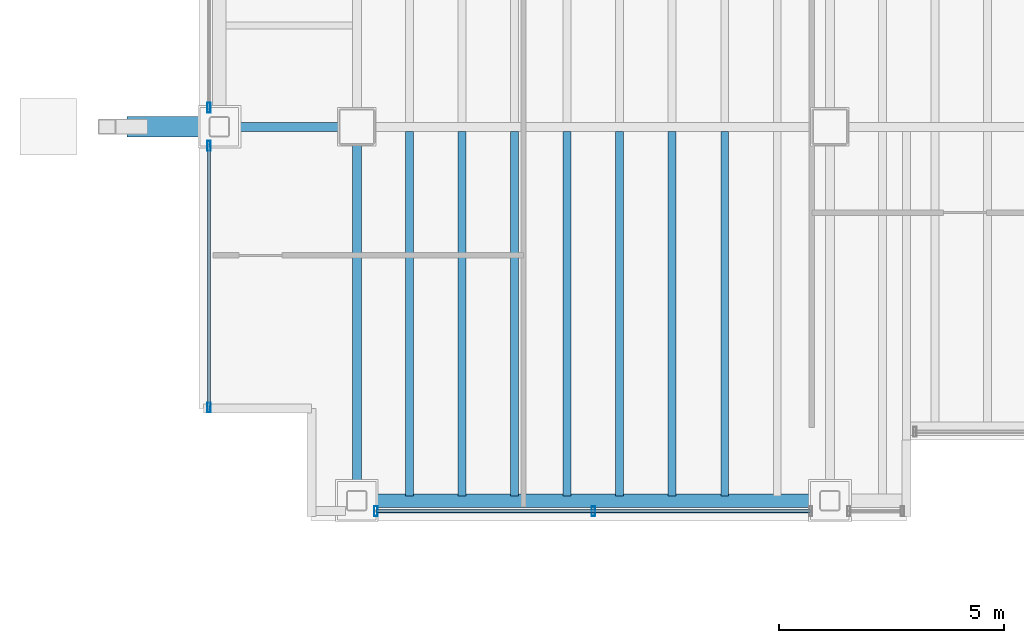
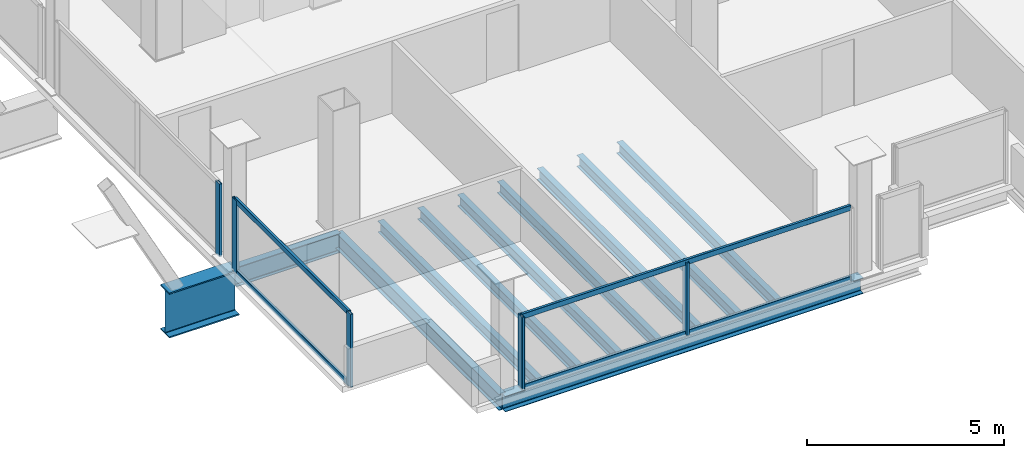
# One storey, part 2 of 17: 11 beams, 9 members, 3 elements without a shape of their own.
"""IFC4 building model written with IfcOpenShell, lengths in metres."""

from ifc_helpers import new_model, si_unit, direction, frame, origin, origin_2d, place, context, subcontext, project, spatial, hollow_rectangle, i_section, extrude, material, material_profile, profile_set, type_object, element, aggregate, save


model = new_model("IFC4")

# Units and contexts
model_context = context("Model", 3, precision=1e-05, world=origin(), true_north=direction((0.0, 1.0)))
body_context = subcontext(model_context, "Body", "Model", "MODEL_VIEW")
ifc_project = project(units=[si_unit("LENGTHUNIT", "METRE"), si_unit("AREAUNIT", "SQUARE_METRE"), si_unit("VOLUMEUNIT", "CUBIC_METRE"), si_unit("PLANEANGLEUNIT", "RADIAN"), si_unit("MASSUNIT", "GRAM", prefix="KILO")], contexts=[model_context])

# Site, building, storey
site_placement = place(None, origin())
site = spatial("IfcSite", under=ifc_project, at=site_placement, CompositionType="ELEMENT")
building_placement = place(site_placement, origin())
building = spatial("IfcBuilding", under=site, at=building_placement, Name="Noeulbin Bourse Tower", CompositionType="ELEMENT")
storey_placement = place(building_placement, frame((0.0, 0.0, 226.699951171875)))
storey = spatial("IfcBuildingStorey", under=building, at=storey_placement, Name="L56", CompositionType="ELEMENT", Elevation=226.699951171875)

# Beams
ifc_material_1 = material(Name="Steel S355", Category="steel")
ifc_material_profile_1 = material_profile(ifc_material_1, i_section(OverallWidth=0.199951171875, OverallDepth=0.5, WebThickness=0.010009765625, FlangeThickness=0.01611328125, FilletRadius=0.02001953125, at=origin_2d()), Name="H-500x200x10x16", Category="LoadBearing")
ifc_profile_set_1 = profile_set([ifc_material_profile_1], Name="Steel S355")
beam_type_1 = type_object("IfcBeamType", Name="BM-GRD-500", PredefinedType="USERDEFINED", material=ifc_profile_set_1)
beam_1_placement = place(storey_placement, frame((13.5, 11.699951171875, -0.429931640625), z_axis=(0.0, 1.0, 0.0), x_axis=(-1.0, 0.0, 0.0)))
element("IfcBeam", 1, at=beam_1_placement, inside=storey, type_object=beam_type_1, Name="Tower Primary Girder NS L56-1.1", ObjectType="GIRDER", PredefinedType="USERDEFINED", context=body_context, shape_type="SweptSolid", body=[
    extrude(i_section(OverallWidth=0.199951171875, OverallDepth=0.5, WebThickness=0.010009765625, FlangeThickness=0.01611328125, FilletRadius=0.02001953125, at=origin_2d()), origin(), (0.0, 0.0, 1.0), 8.300048828125),
])
ifc_material_profile_2 = material_profile(ifc_material_1, i_section(OverallWidth=0.199951171875, OverallDepth=0.60009765625, WebThickness=0.010986328125, FlangeThickness=0.01708984375, FilletRadius=0.02197265625, at=origin_2d()), Name="H-600x200x11x17", Category="LoadBearing")
ifc_profile_set_2 = profile_set([ifc_material_profile_2], Name="Steel S355")
beam_type_2 = type_object("IfcBeamType", Name="BM-GRD-600", PredefinedType="USERDEFINED", material=ifc_profile_set_2)
beam_2_placement = place(storey_placement, frame((10.449951171875, 20.0, -0.47998046875), z_axis=(1.0, 0.0, 0.0), x_axis=(0.0, 1.0, 0.0)))
element("IfcBeam", 2, at=beam_2_placement, inside=storey, type_object=beam_type_2, Name="Tower Primary Girder EW L56-1.1", ObjectType="GIRDER", PredefinedType="USERDEFINED", context=body_context, shape_type="SweptSolid", body=[
    extrude(i_section(OverallWidth=0.199951171875, OverallDepth=0.60009765625, WebThickness=0.010986328125, FlangeThickness=0.01708984375, FilletRadius=0.02197265625, at=origin_2d()), origin(), (0.0, 0.0, 1.0), 3.050048828125),
])
ifc_material_profile_3 = material_profile(ifc_material_1, i_section(OverallWidth=0.175048828125, OverallDepth=0.35009765625, WebThickness=0.007080078125, FlangeThickness=0.010986328125, FilletRadius=0.013916015625, at=origin_2d()), Name="H-350x175x7x11", Category="LoadBearing")
ifc_profile_set_3 = profile_set([ifc_material_profile_3], Name="Steel S355")
beam_type_3 = type_object("IfcBeamType", Name="BM-JST-350", PredefinedType="JOIST", material=ifc_profile_set_3)
for number, where, z_axis, x_axis, name in (
    (3, (14.666748046875, 11.800048828125, -0.35498046875), (0.0, 1.0, 0.0), (-1.0, 0.0, 0.0), "Tower Composite Joist L56-01"),
    (4, (15.833251953125, 11.800048828125, -0.35498046875), (0.0, 1.0, 0.0), (-1.0, 0.0, 0.0), "Tower Composite Joist L56-03"),
    (5, (17.0, 11.800048828125, -0.35498046875), (0.0, 1.0, 0.0), (-1.0, 0.0, 0.0), "Tower Composite Joist L56-05"),
    (6, (18.166748046875, 11.800048828125, -0.35498046875), (0.0, 1.0, 0.0), (-1.0, 0.0, 0.0), "Tower Composite Joist L56-07"),
    (7, (19.333251953125, 11.800048828125, -0.35498046875), (0.0, 1.0, 0.0), (-1.0, 0.0, 0.0), "Tower Composite Joist L56-09"),
    (8, (20.5, 11.800048828125, -0.35498046875), (0.0, 1.0, 0.0), (-1.0, 0.0, 0.0), "Tower Composite Joist L56-11"),
    (9, (21.666748046875, 11.800048828125, -0.35498046875), (0.0, 1.0, 0.0), (-1.0, 0.0, 0.0), "Tower Composite Joist L56-13"),
):
    element("IfcBeam", number, at=place(storey_placement, frame(where, z_axis=z_axis, x_axis=x_axis)), inside=storey, type_object=beam_type_3, Name=name, PredefinedType="JOIST", context=body_context, shape_type="SweptSolid", body=[
        extrude(i_section(OverallWidth=0.175048828125, OverallDepth=0.35009765625, WebThickness=0.007080078125, FlangeThickness=0.010986328125, FilletRadius=0.013916015625, at=origin_2d()), origin(), (0.0, 0.0, 1.0), 8.099853515625),
    ])
ifc_material_profile_4 = material_profile(ifc_material_1, i_section(OverallWidth=0.300048828125, OverallDepth=0.488037109375, WebThickness=0.010986328125, FlangeThickness=0.01806640625, FilletRadius=0.02197265625, at=origin_2d()), Name="H-488x300x11x18", Category="LoadBearing")
ifc_profile_set_4 = profile_set([ifc_material_profile_4], Name="Steel S355")
beam_type_4 = type_object("IfcBeamType", Name="BM-SPN-488", PredefinedType="SPANDREL", material=ifc_profile_set_4)
beam_3_placement = place(storey_placement, frame((13.5, 11.699951171875, -0.424072265625), z_axis=(1.0, 0.0, 0.0), x_axis=(0.0, 1.0, 0.0)))
element("IfcBeam", 10, at=beam_3_placement, inside=storey, type_object=beam_type_4, Name="South Spandrel L56-1", PredefinedType="SPANDREL", context=body_context, shape_type="SweptSolid", body=[
    extrude(i_section(OverallWidth=0.300048828125, OverallDepth=0.488037109375, WebThickness=0.010986328125, FlangeThickness=0.01806640625, FilletRadius=0.02197265625, at=origin_2d()), origin(), (0.0, 0.0, 1.0), 10.5),
])
ifc_material_2 = material(Name="Steel S460", Category="steel")
ifc_material_profile_5 = material_profile(ifc_material_2, i_section(OverallWidth=0.449951171875, OverallDepth=1.39990234375, WebThickness=0.02392578125, FlangeThickness=0.0400390625, FilletRadius=0.02392578125, at=origin_2d()), Name="PG-1400x450x24x40", Category="LoadBearing")
ifc_profile_set_5 = profile_set([ifc_material_profile_5], Name="Steel S460")
beam_type_5 = type_object("IfcBeamType", Name="BM-TRF-1400", PredefinedType="USERDEFINED", material=ifc_profile_set_5)
beam_4_placement = place(storey_placement, frame((8.39990234375, 20.0, -0.8798828125), z_axis=(1.0, 0.0, 0.0), x_axis=(0.0, 1.0, 0.0)))
element("IfcBeam", 11, at=beam_4_placement, inside=storey, type_object=beam_type_5, Name="Transfer Outrigger Corbel L56-01", ObjectType="GIRDER", PredefinedType="USERDEFINED", context=body_context, shape_type="SweptSolid", body=[
    extrude(i_section(OverallWidth=0.449951171875, OverallDepth=1.39990234375, WebThickness=0.02392578125, FlangeThickness=0.0400390625, FilletRadius=0.02392578125, at=origin_2d()), origin(), (0.0, 0.0, 1.0), 2.050048828125),
])

# Curtain wall, members
ifc_material_3 = material(Name="High-Selectivity Low-Iron Glazing", Category="glass")
curtain_wall_type = type_object("IfcCurtainWallType", Name="CW-SYS-4", PredefinedType="NOTDEFINED", material=ifc_material_3)
curtain_wall_1_placement = place(storey_placement, origin())
curtain_wall_1 = element("IfcCurtainWall", 12, at=curtain_wall_1_placement, inside=storey, type_object=curtain_wall_type, Name="Unitised Curtain Wall CW-L56-S1-S1", PredefinedType="NOTDEFINED")
ifc_material_4 = material(Name="Anodised Aluminium 6063-T6", Category="aluminium")
ifc_material_profile_6 = material_profile(ifc_material_4, hollow_rectangle(XDim=0.074951171875, YDim=0.219970703125, WallThickness=0.0048828125, InnerFilletRadius=0.00244140625, OuterFilletRadius=0.0048828125, at=origin_2d()), Name="ALU-MULL-75x220x5", Category="LoadBearing")
ifc_profile_set_6 = profile_set([ifc_material_profile_6], Name="Anodised Aluminium 6063-T6")
member_type_1 = type_object("IfcMemberType", Name="CW-SYS-4-MUL", PredefinedType="MULLION", material=ifc_profile_set_6)
member_1_placement = place(storey_placement, frame((13.925048828125, 11.469970703125, -0.02001953125), z_axis=(0.0, 0.0, 1.0), x_axis=(1.0, 0.0, 0.0)))
member_1 = element("IfcMember", 13, at=member_1_placement, type_object=member_type_1, Name="Curtain Wall Mullion CW-L56-S1-S1-M00", PredefinedType="MULLION", context=body_context, shape_type="SweptSolid", body=[
    extrude(hollow_rectangle(XDim=0.074951171875, YDim=0.219970703125, WallThickness=0.0048828125, InnerFilletRadius=0.00244140625, OuterFilletRadius=0.0048828125, at=origin_2d()), origin(), (0.0, 0.0, 1.0), 2.260009765625),
])
member_2_placement = place(storey_placement, frame((18.75, 11.469970703125, -0.02001953125), z_axis=(0.0, 0.0, 1.0), x_axis=(1.0, 0.0, 0.0)))
member_2 = element("IfcMember", 14, at=member_2_placement, type_object=member_type_1, Name="Curtain Wall Mullion CW-L56-S1-S1-M01", PredefinedType="MULLION", context=body_context, shape_type="SweptSolid", body=[
    extrude(hollow_rectangle(XDim=0.074951171875, YDim=0.219970703125, WallThickness=0.0048828125, InnerFilletRadius=0.00244140625, OuterFilletRadius=0.0048828125, at=origin_2d()), origin(), (0.0, 0.0, 1.0), 2.260009765625),
])

curtain_wall_2_placement = place(storey_placement, origin())
curtain_wall_2 = element("IfcCurtainWall", 15, at=curtain_wall_2_placement, inside=storey, type_object=curtain_wall_type, Name="Unitised Curtain Wall CW-L56-W-S1", PredefinedType="NOTDEFINED")
member_3_placement = place(storey_placement, frame((10.219970703125, 13.77001953125, -0.02001953125), z_axis=(0.0, 0.0, 1.0), x_axis=(1.0, 0.0, 0.0)))
member_3 = element("IfcMember", 16, at=member_3_placement, type_object=member_type_1, Name="Curtain Wall Mullion CW-L56-W-S1-M00", PredefinedType="MULLION", context=body_context, shape_type="SweptSolid", body=[
    extrude(hollow_rectangle(XDim=0.074951171875, YDim=0.219970703125, WallThickness=0.0048828125, InnerFilletRadius=0.00244140625, OuterFilletRadius=0.0048828125, at=origin_2d()), origin(), (0.0, 0.0, 1.0), 2.260009765625),
])
member_4_placement = place(storey_placement, frame((10.219970703125, 19.574951171875, -0.02001953125), z_axis=(0.0, 0.0, 1.0), x_axis=(1.0, 0.0, 0.0)))
member_4 = element("IfcMember", 17, at=member_4_placement, type_object=member_type_1, Name="Curtain Wall Mullion CW-L56-W-S1-M01", PredefinedType="MULLION", context=body_context, shape_type="SweptSolid", body=[
    extrude(hollow_rectangle(XDim=0.074951171875, YDim=0.219970703125, WallThickness=0.0048828125, InnerFilletRadius=0.00244140625, OuterFilletRadius=0.0048828125, at=origin_2d()), origin(), (0.0, 0.0, 1.0), 2.260009765625),
])

# Curtain wall, member
curtain_wall_3_placement = place(storey_placement, origin())
curtain_wall_3 = element("IfcCurtainWall", 18, at=curtain_wall_3_placement, inside=storey, type_object=curtain_wall_type, Name="Unitised Curtain Wall CW-L56-W-S2", PredefinedType="NOTDEFINED")
member_5_placement = place(storey_placement, frame((10.219970703125, 20.425048828125, -0.02001953125), z_axis=(0.0, 0.0, 1.0), x_axis=(1.0, 0.0, 0.0)))
member_5 = element("IfcMember", 19, at=member_5_placement, type_object=member_type_1, Name="Curtain Wall Mullion CW-L56-W-S2-M00", PredefinedType="MULLION", context=body_context, shape_type="SweptSolid", body=[
    extrude(hollow_rectangle(XDim=0.074951171875, YDim=0.219970703125, WallThickness=0.0048828125, InnerFilletRadius=0.00244140625, OuterFilletRadius=0.0048828125, at=origin_2d()), origin(), (0.0, 0.0, 1.0), 2.260009765625),
])
aggregate(curtain_wall_3, [member_5])

# Member
ifc_material_profile_7 = material_profile(ifc_material_4, hollow_rectangle(XDim=0.074951171875, YDim=0.159912109375, WallThickness=0.0048828125, InnerFilletRadius=0.00244140625, OuterFilletRadius=0.0048828125, at=origin_2d()), Name="ALU-TRAN-75x160x5", Category="LoadBearing")
ifc_profile_set_7 = profile_set([ifc_material_profile_7], Name="Anodised Aluminium 6063-T6")
member_type_2 = type_object("IfcMemberType", Name="CW-SYS-4-TRN", PredefinedType="USERDEFINED", material=ifc_profile_set_7)
member_6_placement = place(storey_placement, frame((13.93505859375, 11.469970703125, 0.010009765625), z_axis=(1.0, 0.0, 0.0), x_axis=(0.0, 1.0, 0.0)))
member_6 = element("IfcMember", 20, at=member_6_placement, type_object=member_type_2, Name="Curtain Wall Transom CW-L56-S1-S1-T00", ObjectType="TRANSOM", PredefinedType="USERDEFINED", context=body_context, shape_type="SweptSolid", body=[
    extrude(hollow_rectangle(XDim=0.074951171875, YDim=0.159912109375, WallThickness=0.0048828125, InnerFilletRadius=0.00244140625, OuterFilletRadius=0.0048828125, at=origin_2d()), origin(), (0.0, 0.0, 1.0), 9.6298828125),
])

member_7_placement = place(storey_placement, frame((13.93505859375, 11.469970703125, 2.2099609375), z_axis=(1.0, 0.0, 0.0), x_axis=(0.0, 1.0, 0.0)))
member_7 = element("IfcMember", 21, at=member_7_placement, type_object=member_type_2, Name="Curtain Wall Transom CW-L56-S1-S1-T01", ObjectType="TRANSOM", PredefinedType="USERDEFINED", context=body_context, shape_type="SweptSolid", body=[
    extrude(hollow_rectangle(XDim=0.074951171875, YDim=0.159912109375, WallThickness=0.0048828125, InnerFilletRadius=0.00244140625, OuterFilletRadius=0.0048828125, at=origin_2d()), origin(), (0.0, 0.0, 1.0), 9.6298828125),
])

aggregate(curtain_wall_1, [member_1, member_2, member_6, member_7])

member_8_placement = place(storey_placement, frame((10.219970703125, 13.780029296875, 0.010009765625), z_axis=(0.0, 1.0, 0.0), x_axis=(-1.0, 0.0, 0.0)))
member_8 = element("IfcMember", 22, at=member_8_placement, type_object=member_type_2, Name="Curtain Wall Transom CW-L56-W-S1-T00", ObjectType="TRANSOM", PredefinedType="USERDEFINED", context=body_context, shape_type="SweptSolid", body=[
    extrude(hollow_rectangle(XDim=0.074951171875, YDim=0.159912109375, WallThickness=0.0048828125, InnerFilletRadius=0.00244140625, OuterFilletRadius=0.0048828125, at=origin_2d()), origin(), (0.0, 0.0, 1.0), 5.784912109375),
])

member_9_placement = place(storey_placement, frame((10.219970703125, 13.780029296875, 2.2099609375), z_axis=(0.0, 1.0, 0.0), x_axis=(-1.0, 0.0, 0.0)))
member_9 = element("IfcMember", 23, at=member_9_placement, type_object=member_type_2, Name="Curtain Wall Transom CW-L56-W-S1-T01", ObjectType="TRANSOM", PredefinedType="USERDEFINED", context=body_context, shape_type="SweptSolid", body=[
    extrude(hollow_rectangle(XDim=0.074951171875, YDim=0.159912109375, WallThickness=0.0048828125, InnerFilletRadius=0.00244140625, OuterFilletRadius=0.0048828125, at=origin_2d()), origin(), (0.0, 0.0, 1.0), 5.784912109375),
])

aggregate(curtain_wall_2, [member_3, member_4, member_8, member_9])

save(model, "model.ifc")
